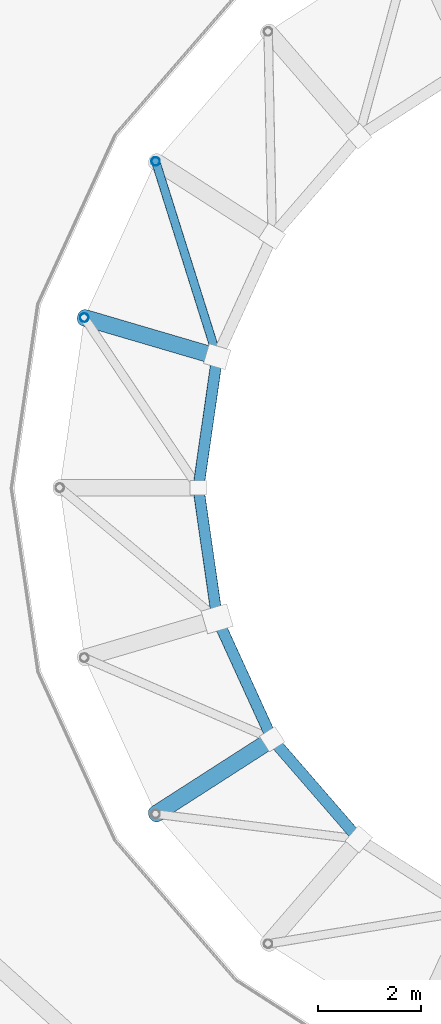
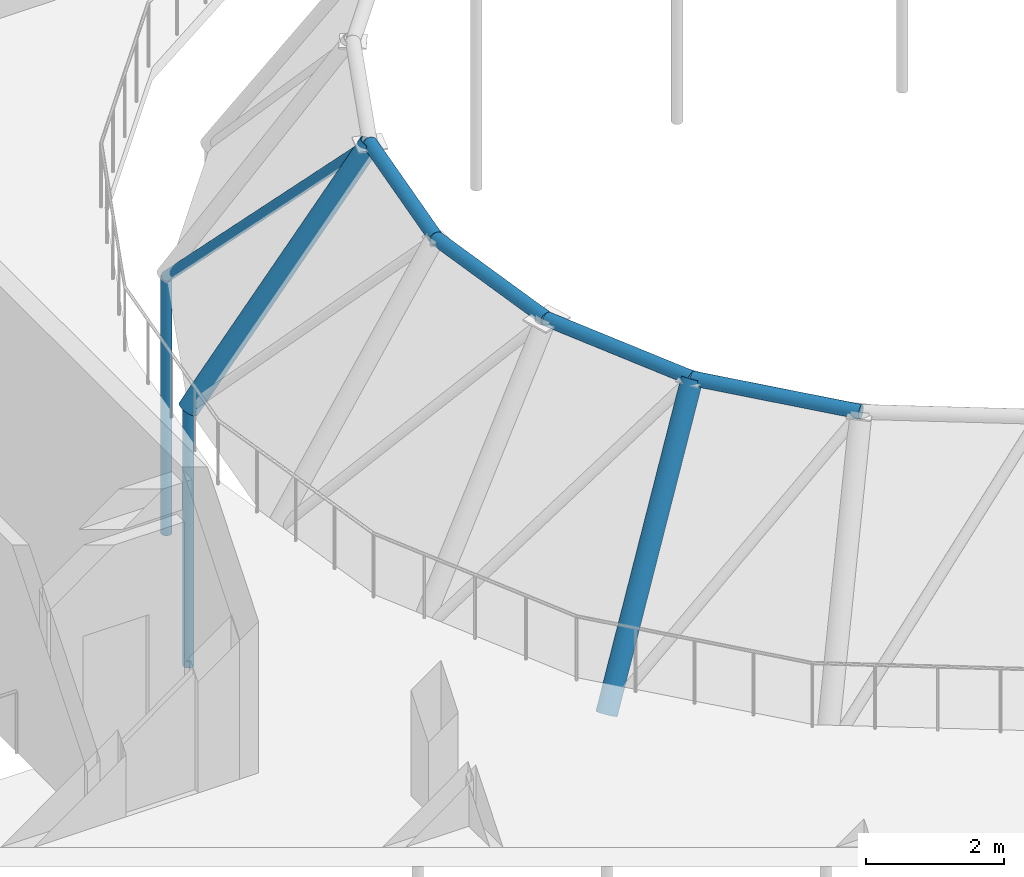
# One storey, part 11 of 38: 6 beams, 3 members.
"""IFC4 building model written with IfcOpenShell, lengths in metres."""

from ifc_helpers import new_model, si_unit, direction, frame, origin, origin_2d, place, context, subcontext, project, spatial, hollow_circle, extrude, material, material_profile, profile_set, type_object, element, save


model = new_model("IFC4")

# Units and contexts
model_context = context("Model", 3, precision=1e-05, world=origin(), true_north=direction((0.0, 1.0)))
body_context = subcontext(model_context, "Body", "Model", "MODEL_VIEW")
ifc_project = project(units=[si_unit("LENGTHUNIT", "METRE"), si_unit("AREAUNIT", "SQUARE_METRE"), si_unit("VOLUMEUNIT", "CUBIC_METRE"), si_unit("PLANEANGLEUNIT", "RADIAN"), si_unit("MASSUNIT", "GRAM", prefix="KILO")], contexts=[model_context])

# Site, building, storey
site_placement = place(None, origin())
site = spatial("IfcSite", under=ifc_project, at=site_placement, CompositionType="ELEMENT")
building_placement = place(site_placement, origin())
building = spatial("IfcBuilding", under=site, at=building_placement, Name="Pelvatis Terrace Science Centre", CompositionType="ELEMENT")
storey_placement = place(building_placement, frame((0.0, 0.0, 24.300048828125)))
storey = spatial("IfcBuildingStorey", under=building, at=storey_placement, Name="L05", CompositionType="ELEMENT", Elevation=24.300048828125)

# Beams
ifc_material_1 = material(Name="Structural steel S355", Category="steel")
ifc_material_profile_1 = material_profile(ifc_material_1, hollow_circle(Radius=0.161865234375, WallThickness=0.012451171875, at=origin_2d()), Name="CHS 323.9x12.5")
ifc_profile_set_1 = profile_set([ifc_material_profile_1], Name="Structural steel S355")
beam_type_1 = type_object("IfcBeamType", Name="BM-DOME-CHS324", PredefinedType="BEAM", material=ifc_profile_set_1)
for number, where, z_axis, x_axis, name in (
    (1, (97.913330078125, 89.114013671875, -1.1845703125), (0.515531865267, -0.151369757782, 0.843394387178), (0.281725607409, 0.959495014125, 0.0), "Planetarium meridional dome rib 11.2"),
    (2, (99.30419921875, 79.4404296875, -1.1845703125), (0.452014625232, 0.290490585856, 0.843384845788), (-0.540638743118, 0.841254865923, 0.0), "Planetarium meridional dome rib 14.2"),
):
    element("IfcBeam", number, at=place(storey_placement, frame(where, z_axis=z_axis, x_axis=x_axis)), inside=storey, type_object=beam_type_1, Name=name, PredefinedType="BEAM", context=body_context, shape_type="SweptSolid", body=[
        extrude(hollow_circle(Radius=0.161865234375, WallThickness=0.012451171875, at=origin_2d()), origin(), (0.0, 0.0, 1.0), 5.024169921875),
    ])
ifc_material_2 = material(Name="Structural steel S355", Category="steel")
ifc_material_profile_2 = material_profile(ifc_material_2, hollow_circle(Radius=0.109619140625, WallThickness=0.008056640625, at=origin_2d()), Name="CHS 219.1x8.0")
ifc_profile_set_2 = profile_set([ifc_material_profile_2], Name="Structural steel S355")
beam_type_2 = type_object("IfcBeamType", Name="BM-HOOP-CHS219", PredefinedType="BEAM", material=ifc_profile_set_2)
for number, where, z_axis, x_axis, name in (
    (3, (100.50341796875, 88.353515625, 3.052734375), (-0.142335498671, -0.989818471144, 0.0), (0.989818471144, -0.142335498671, 0.0), "Planetarium dome hoop ring 3.11"),
    (4, (100.13623046875, 85.800048828125, 3.052734375), (0.142335498671, -0.989818471144, 0.0), (0.989818471144, 0.142335498671, 0.0), "Planetarium dome hoop ring 3.12"),
    (5, (100.50341796875, 83.24658203125, 3.052734375), (0.415442159138, -0.90961959764, 0.0), (0.90961959764, 0.415442159138, 0.0), "Planetarium dome hoop ring 3.13"),
    (6, (101.5751953125, 80.89990234375, 3.052734375), (0.654865685453, -0.75574528382, 0.0), (0.75574528382, 0.654865685453, 0.0), "Planetarium dome hoop ring 3.14"),
):
    element("IfcBeam", number, at=place(storey_placement, frame(where, z_axis=z_axis, x_axis=x_axis)), inside=storey, type_object=beam_type_2, Name=name, PredefinedType="BEAM", context=body_context, shape_type="SweptSolid", body=[
        extrude(hollow_circle(Radius=0.109619140625, WallThickness=0.008056640625, at=origin_2d()), origin(), (0.0, 0.0, 1.0), 2.579833984375),
    ])

# Members
ifc_material_3 = material(Name="Structural steel S355", Category="steel")
ifc_material_profile_3 = material_profile(ifc_material_3, hollow_circle(Radius=0.084228515625, WallThickness=0.00634765625, at=origin_2d()), Name="CHS 168.3x6.3")
ifc_profile_set_3 = profile_set([ifc_material_profile_3], Name="Structural steel S355")
member_type_1 = type_object("IfcMemberType", Name="MEM-BRC-CHS168", PredefinedType="BRACE", material=ifc_profile_set_3)
member_placement = place(storey_placement, frame((99.30419921875, 92.15966796875, -1.1845703125), z_axis=(0.206029215917, -0.653907873807, 0.727981081321), x_axis=(0.953778482034, 0.300510577534, 0.0)))
element("IfcMember", 7, at=member_placement, inside=storey, type_object=member_type_1, Name="Planetarium dome lateral brace 2.10", PredefinedType="BRACE", context=body_context, shape_type="SweptSolid", body=[
    extrude(hollow_circle(Radius=0.084228515625, WallThickness=0.00634765625, at=origin_2d()), origin(), (0.0, 0.0, 1.0), 5.820556640625),
])
ifc_material_4 = material(Name="Structural steel S355", Category="steel")
ifc_material_profile_4 = material_profile(ifc_material_4, hollow_circle(Radius=0.084228515625, WallThickness=0.00634765625, at=origin_2d()), Name="CHS 168.3x6.3")
ifc_profile_set_4 = profile_set([ifc_material_profile_4], Name="Structural steel S355")
member_type_2 = type_object("IfcMemberType", Name="MEM-STR-CHS168", PredefinedType="STRUT", material=ifc_profile_set_4)
for number, where, z_axis, x_axis, name in (
    (8, (99.30419921875, 92.15966796875, -5.699951171875), (0.0, 0.0, 1.0), (1.0, 0.0, 0.0), "Dome arch vertical web post 1.10"),
    (9, (97.913330078125, 89.114013671875, -5.699951171875), (0.0, 0.0, 1.0), (1.0, 0.0, 0.0), "Dome arch vertical web post 1.11"),
):
    element("IfcMember", number, at=place(storey_placement, frame(where, z_axis=z_axis, x_axis=x_axis)), inside=storey, type_object=member_type_2, Name=name, PredefinedType="STRUT", context=body_context, shape_type="SweptSolid", body=[
        extrude(hollow_circle(Radius=0.084228515625, WallThickness=0.00634765625, at=origin_2d()), origin(), (0.0, 0.0, 1.0), 4.515380859375),
    ])

save(model, "model.ifc")
